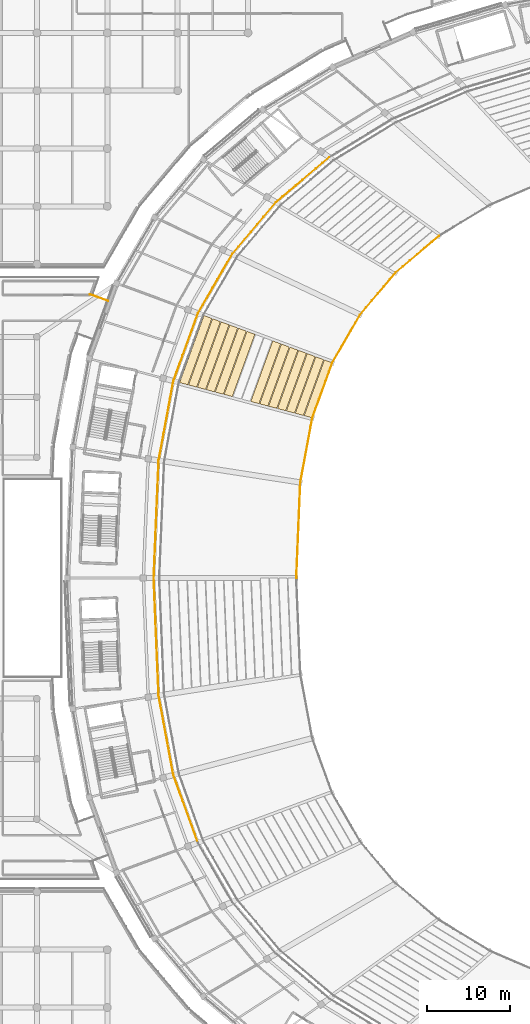
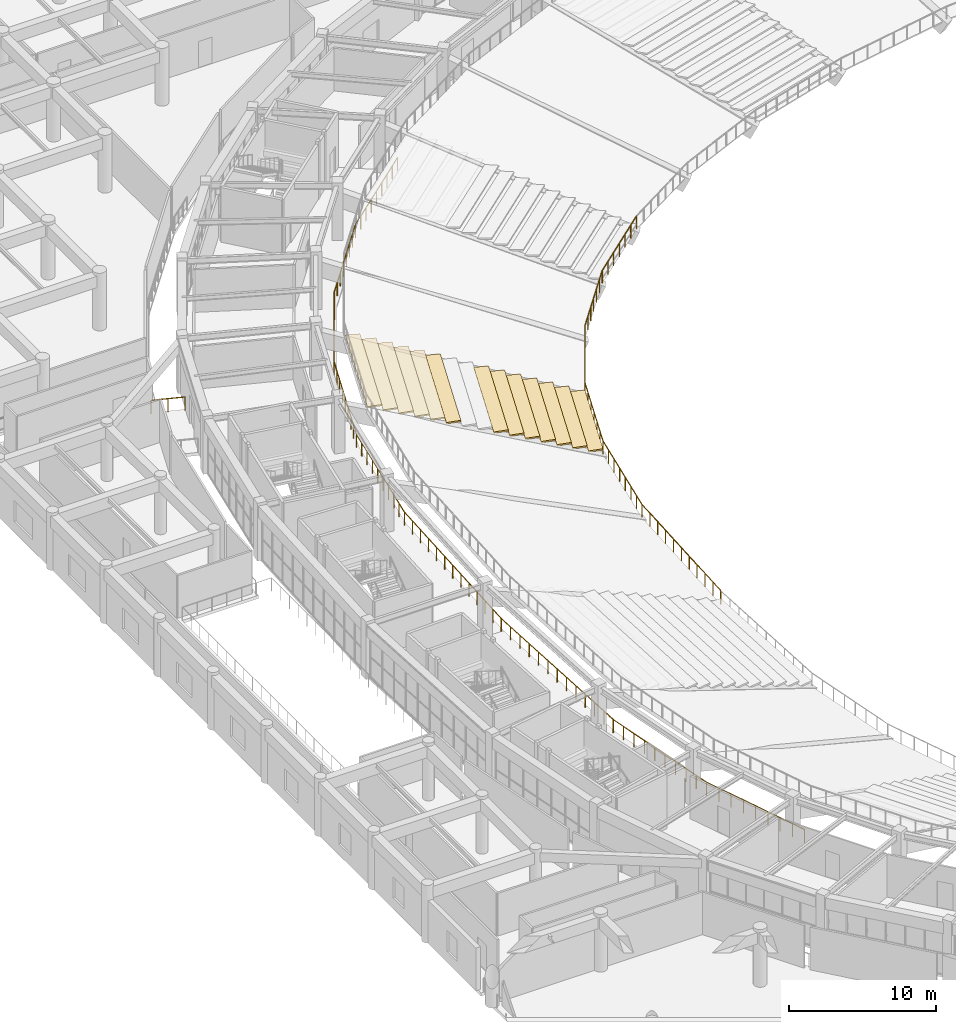
# One storey, part 122 of 137: 13 coverings, 3 railings.
"""IFC4 building model written with IfcOpenShell, lengths in metres."""

from ifc_helpers import new_model, si_unit, direction, frame, origin, origin_2d, place, context, subcontext, project, spatial, polyline, circle, outline, extrude, material, layer, layer_set, type_object, element, save


model = new_model("IFC4")

# Units and contexts
model_context = context("Model", 3, precision=1e-05, world=origin(), true_north=direction((0.0, 1.0)))
body_context = subcontext(model_context, "Body", "Model", "MODEL_VIEW")
ifc_project = project(units=[si_unit("LENGTHUNIT", "METRE"), si_unit("AREAUNIT", "SQUARE_METRE"), si_unit("VOLUMEUNIT", "CUBIC_METRE"), si_unit("PLANEANGLEUNIT", "RADIAN"), si_unit("MASSUNIT", "GRAM", prefix="KILO")], contexts=[model_context])

# Site, building, storey
site_placement = place(None, origin())
site = spatial("IfcSite", under=ifc_project, at=site_placement, CompositionType="ELEMENT")
building_placement = place(site_placement, origin())
building = spatial("IfcBuilding", under=site, at=building_placement, Name="Mphavela Belvedere Stadium", CompositionType="ELEMENT")
storey_placement = place(building_placement, frame((0.0, 0.0, 19.199951171875)))
storey = spatial("IfcBuildingStorey", under=building, at=storey_placement, Name="L04", CompositionType="ELEMENT", Elevation=19.199951171875)

# Coverings
ifc_material_1 = material(Name="Precast seating row terrazzo finish", Category="concrete")
ifc_layer = layer(ifc_material_1, 0.1201171875)
ifc_layer_set = layer_set([ifc_layer], Name="Precast seating row terrazzo finish")
covering_type = type_object("IfcCoveringType", Name="COV-SEAT-ROW-U", PredefinedType="FLOORING", material=ifc_layer_set)
covering_1_placement = place(storey_placement, frame((0.0, 0.0, -3.4033203125)))
element("IfcCovering", 1, at=covering_1_placement, inside=storey, type_object=covering_type, Name="Upper stand seating row bench B22-R01", PredefinedType="FLOORING", context=body_context, shape_type="SweptSolid", body=[
    extrude(outline(polyline([(44.27685546875, 113.0546875), (41.86083984375, 106.3955078125), (40.869873046875, 106.658447265625), (43.318603515625, 113.407958984375), (44.27685546875, 113.0546875)])), origin(), (0.0, 0.0, 1.0), 0.1201171875),
])
covering_2_placement = place(storey_placement, frame((0.0, 0.0, -2.936767578125)))
element("IfcCovering", 2, at=covering_2_placement, inside=storey, type_object=covering_type, Name="Upper stand seating row bench B22-R02", PredefinedType="FLOORING", context=body_context, shape_type="SweptSolid", body=[
    extrude(outline(polyline([(43.235107421875, 113.438720703125), (40.78369140625, 106.681396484375), (39.79248046875, 106.944091796875), (42.27685546875, 113.79150390625), (43.235107421875, 113.438720703125)])), origin(), (0.0, 0.0, 1.0), 0.1201171875),
])
covering_3_placement = place(storey_placement, frame((0.0, 0.0, -2.469970703125)))
element("IfcCovering", 3, at=covering_3_placement, inside=storey, type_object=covering_type, Name="Upper stand seating row bench B22-R03", PredefinedType="FLOORING", context=body_context, shape_type="SweptSolid", body=[
    extrude(outline(polyline([(42.193603515625, 113.822265625), (39.706298828125, 106.967041015625), (38.71533203125, 107.229736328125), (41.235107421875, 114.17529296875), (42.193603515625, 113.822265625)])), origin(), (0.0, 0.0, 1.0), 0.1201171875),
])
covering_4_placement = place(storey_placement, frame((0.0, 0.0, -2.003173828125)))
element("IfcCovering", 4, at=covering_4_placement, inside=storey, type_object=covering_type, Name="Upper stand seating row bench B22-R04", PredefinedType="FLOORING", context=body_context, shape_type="SweptSolid", body=[
    extrude(outline(polyline([(41.15185546875, 114.2060546875), (38.629150390625, 107.252685546875), (37.63818359375, 107.515380859375), (40.193603515625, 114.55908203125), (41.15185546875, 114.2060546875)])), origin(), (0.0, 0.0, 1.0), 0.119873046875),
])
covering_5_placement = place(storey_placement, frame((0.0, 0.0, -1.53662109375)))
element("IfcCovering", 5, at=covering_5_placement, inside=storey, type_object=covering_type, Name="Upper stand seating row bench B22-R05", PredefinedType="FLOORING", context=body_context, shape_type="SweptSolid", body=[
    extrude(outline(polyline([(40.110107421875, 114.58984375), (37.552001953125, 107.538330078125), (36.560791015625, 107.801025390625), (39.15185546875, 114.94287109375), (40.110107421875, 114.58984375)])), origin(), (0.0, 0.0, 1.0), 0.119873046875),
])
covering_6_placement = place(storey_placement, frame((0.0, 0.0, -1.070068359375)))
element("IfcCovering", 6, at=covering_6_placement, inside=storey, type_object=covering_type, Name="Upper stand seating row bench B22-R06", PredefinedType="FLOORING", context=body_context, shape_type="SweptSolid", body=[
    extrude(outline(polyline([(39.068603515625, 114.9736328125), (36.474609375, 107.823974609375), (35.483642578125, 108.0869140625), (38.110107421875, 115.32666015625), (39.068603515625, 114.9736328125)])), origin(), (0.0, 0.0, 1.0), 0.1201171875),
])
covering_7_placement = place(storey_placement, frame((0.0, 0.0, -0.603271484375)))
element("IfcCovering", 7, at=covering_7_placement, inside=storey, type_object=covering_type, Name="Upper stand seating row bench B22-R07", PredefinedType="FLOORING", context=body_context, shape_type="SweptSolid", body=[
    extrude(outline(polyline([(38.02685546875, 115.357421875), (35.3974609375, 108.109619140625), (34.406494140625, 108.37255859375), (37.068603515625, 115.71044921875), (38.02685546875, 115.357421875)])), origin(), (0.0, 0.0, 1.0), 0.1201171875),
])
covering_8_placement = place(storey_placement, frame((0.0, 0.0, 0.796630859375)))
element("IfcCovering", 8, at=covering_8_placement, inside=storey, type_object=covering_type, Name="Upper stand seating row bench B22-R10", PredefinedType="FLOORING", context=body_context, shape_type="SweptSolid", body=[
    extrude(outline(polyline([(34.90185546875, 116.508544921875), (32.165771484375, 108.966796875), (31.1748046875, 109.2294921875), (33.943603515625, 116.861572265625), (34.90185546875, 116.508544921875)])), origin(), (0.0, 0.0, 1.0), 0.1201171875),
])
covering_9_placement = place(storey_placement, frame((0.0, 0.0, 1.263427734375)))
element("IfcCovering", 9, at=covering_9_placement, inside=storey, type_object=covering_type, Name="Upper stand seating row bench B22-R11", PredefinedType="FLOORING", context=body_context, shape_type="SweptSolid", body=[
    extrude(outline(polyline([(33.860107421875, 116.892333984375), (31.08837890625, 109.25244140625), (30.097412109375, 109.51513671875), (32.90185546875, 117.245361328125), (33.860107421875, 116.892333984375)])), origin(), (0.0, 0.0, 1.0), 0.119873046875),
])
covering_10_placement = place(storey_placement, frame((0.0, 0.0, 1.72998046875)))
element("IfcCovering", 10, at=covering_10_placement, inside=storey, type_object=covering_type, Name="Upper stand seating row bench B22-R12", PredefinedType="FLOORING", context=body_context, shape_type="SweptSolid", body=[
    extrude(outline(polyline([(32.818603515625, 117.276123046875), (30.01123046875, 109.5380859375), (29.020263671875, 109.80078125), (31.860107421875, 117.629150390625), (32.818603515625, 117.276123046875)])), origin(), (0.0, 0.0, 1.0), 0.1201171875),
])
covering_11_placement = place(storey_placement, frame((0.0, 0.0, 2.19677734375)))
element("IfcCovering", 11, at=covering_11_placement, inside=storey, type_object=covering_type, Name="Upper stand seating row bench B22-R13", PredefinedType="FLOORING", context=body_context, shape_type="SweptSolid", body=[
    extrude(outline(polyline([(31.77685546875, 117.659912109375), (28.93408203125, 109.82373046875), (27.94287109375, 110.08642578125), (30.818603515625, 118.012939453125), (31.77685546875, 117.659912109375)])), origin(), (0.0, 0.0, 1.0), 0.119873046875),
])
covering_12_placement = place(storey_placement, frame((0.0, 0.0, 2.663330078125)))
element("IfcCovering", 12, at=covering_12_placement, inside=storey, type_object=covering_type, Name="Upper stand seating row bench B22-R14", PredefinedType="FLOORING", context=body_context, shape_type="SweptSolid", body=[
    extrude(outline(polyline([(30.735107421875, 118.043701171875), (27.856689453125, 110.109375), (26.86572265625, 110.372314453125), (29.77685546875, 118.396484375), (30.735107421875, 118.043701171875)])), origin(), (0.0, 0.0, 1.0), 0.1201171875),
])
covering_13_placement = place(storey_placement, frame((0.0, 0.0, 3.130126953125)))
element("IfcCovering", 13, at=covering_13_placement, inside=storey, type_object=covering_type, Name="Upper stand seating row bench B22-R15", PredefinedType="FLOORING", context=body_context, shape_type="SweptSolid", body=[
    extrude(outline(polyline([(29.693603515625, 118.42724609375), (26.779541015625, 110.39501953125), (25.78857421875, 110.657958984375), (28.735107421875, 118.780517578125), (29.693603515625, 118.42724609375)])), origin(), (0.0, 0.0, 1.0), 0.119873046875),
])

# Railings
ifc_material_2 = material(Name="Bronze and laminated glass stadium balustrade", Category="glass")
railing_type = type_object("IfcRailingType", Name="RAL-BALUSTRADE-1120", PredefinedType="BALUSTRADE", material=ifc_material_2)
railing_1_placement = place(storey_placement, frame((17.154296875, 120.540771484375, 0.0)))
element("IfcRailing", 14, at=railing_1_placement, inside=storey, type_object=railing_type, Name="Colonnade link bridge balustrade L04-22A", PredefinedType="BALUSTRADE", context=body_context, shape_type="SweptSolid", body=[
    extrude(circle(Radius=0.02392578125, at=origin_2d()), frame((0.0, 0.0, 1.09619140625), z_axis=(-0.940044916205, 0.341050664151, 0.0), x_axis=(-0.341050664151, -0.940044916205, 0.0)), (0.0, 0.0, 1.0), 2.35009765625),
    extrude(circle(Radius=0.02099609375, at=origin_2d()), origin(), (0.0, 0.0, 1.0), 1.072021484375),
    extrude(circle(Radius=0.02099609375, at=origin_2d()), frame((-1.1044921875, 0.40087890625, 0.0)), (0.0, 0.0, 1.0), 1.072021484375),
    extrude(circle(Radius=0.02099609375, at=origin_2d()), frame((-2.209228515625, 0.801513671875, 0.0)), (0.0, 0.0, 1.0), 1.072021484375),
])
railing_2_placement = place(storey_placement, frame((57.201416015625, 128.412353515625, -3.75)))
element("IfcRailing", 15, at=railing_2_placement, inside=storey, type_object=railing_type, Name="Bowl safety balustrade t2_front S4", PredefinedType="BALUSTRADE", context=body_context, shape_type="SweptSolid", body=[
    extrude(circle(Radius=0.02392578125, at=origin_2d()), frame((0.0, 0.0, 1.09619140625), z_axis=(-0.764246549785, -0.644924190229, 0.0), x_axis=(0.644924190229, -0.764246549785, 0.0)), (0.0, 0.0, 1.0), 6.862548828125),
    extrude(circle(Radius=0.02392578125, at=origin_2d()), frame((-5.24462890625, -4.42578125, 1.09619140625), z_axis=(-0.645180343886, -0.764030316063, 0.0), x_axis=(0.764030316063, -0.645180343886, 0.0)), (0.0, 0.0, 1.0), 6.682373046875),
    extrude(circle(Radius=0.02392578125, at=origin_2d()), frame((-9.555908203125, -9.53125, 1.09619140625), z_axis=(-0.500531411911, -0.865718375507, 0.0), x_axis=(0.865718375507, -0.500531411911, 0.0)), (0.0, 0.0, 1.0), 6.730224609375),
    extrude(circle(Radius=0.02392578125, at=origin_2d()), frame((-12.924560546875, -15.357666015625, 1.09619140625), z_axis=(-0.341056708776, -0.940042723178, 0.0), x_axis=(0.940042723178, -0.341056708776, 0.0)), (0.0, 0.0, 1.0), 7.083984375),
    extrude(circle(Radius=0.02392578125, at=origin_2d()), frame((-15.340576171875, -22.016845703125, 1.09619140625), z_axis=(-0.18262523239, -0.983182599772, 0.0), x_axis=(0.983182599772, -0.18262523239, 0.0)), (0.0, 0.0, 1.0), 7.95947265625),
    extrude(circle(Radius=0.02392578125, at=origin_2d()), frame((-16.794189453125, -29.842529296875, 1.09619140625), z_axis=(-0.04189186986, -0.99912215031, 0.0), x_axis=(0.99912215031, -0.04189186986, 0.0)), (0.0, 0.0, 1.0), 11.580078125),
    extrude(circle(Radius=0.02099609375, at=origin_2d()), origin(), (0.0, 0.0, 1.0), 1.072021484375),
    extrude(circle(Radius=0.02099609375, at=origin_2d()), frame((-0.8740234375, -0.737548828125, 0.0)), (0.0, 0.0, 1.0), 1.072021484375),
    extrude(circle(Radius=0.02099609375, at=origin_2d()), frame((-1.748291015625, -1.475341796875, 0.0)), (0.0, 0.0, 1.0), 1.072021484375),
    extrude(circle(Radius=0.02099609375, at=origin_2d()), frame((-2.622314453125, -2.212890625, 0.0)), (0.0, 0.0, 1.0), 1.072021484375),
    extrude(circle(Radius=0.02099609375, at=origin_2d()), frame((-3.496337890625, -2.950439453125, 0.0)), (0.0, 0.0, 1.0), 1.072021484375),
    extrude(circle(Radius=0.02099609375, at=origin_2d()), frame((-4.37060546875, -3.688232421875, 0.0)), (0.0, 0.0, 1.0), 1.072021484375),
    extrude(circle(Radius=0.02099609375, at=origin_2d()), frame((-5.24462890625, -4.42578125, 0.0)), (0.0, 0.0, 1.0), 1.072021484375),
    extrude(circle(Radius=0.02099609375, at=origin_2d()), frame((-5.963134765625, -5.276611328125, 0.0)), (0.0, 0.0, 1.0), 1.072021484375),
    extrude(circle(Radius=0.02099609375, at=origin_2d()), frame((-6.681640625, -6.127685546875, 0.0)), (0.0, 0.0, 1.0), 1.072021484375),
    extrude(circle(Radius=0.02099609375, at=origin_2d()), frame((-7.400390625, -6.978515625, 0.0)), (0.0, 0.0, 1.0), 1.072021484375),
    extrude(circle(Radius=0.02099609375, at=origin_2d()), frame((-8.118896484375, -7.829345703125, 0.0)), (0.0, 0.0, 1.0), 1.072021484375),
    extrude(circle(Radius=0.02099609375, at=origin_2d()), frame((-8.83740234375, -8.680419921875, 0.0)), (0.0, 0.0, 1.0), 1.072021484375),
    extrude(circle(Radius=0.02099609375, at=origin_2d()), frame((-9.555908203125, -9.53125, 0.0)), (0.0, 0.0, 1.0), 1.072021484375),
    extrude(circle(Radius=0.02099609375, at=origin_2d()), frame((-10.117431640625, -10.50244140625, 0.0)), (0.0, 0.0, 1.0), 1.072021484375),
    extrude(circle(Radius=0.02099609375, at=origin_2d()), frame((-10.6787109375, -11.473388671875, 0.0)), (0.0, 0.0, 1.0), 1.072021484375),
    extrude(circle(Radius=0.02099609375, at=origin_2d()), frame((-11.240234375, -12.4443359375, 0.0)), (0.0, 0.0, 1.0), 1.072021484375),
    extrude(circle(Radius=0.02099609375, at=origin_2d()), frame((-11.8017578125, -13.41552734375, 0.0)), (0.0, 0.0, 1.0), 1.072021484375),
    extrude(circle(Radius=0.02099609375, at=origin_2d()), frame((-12.363037109375, -14.38671875, 0.0)), (0.0, 0.0, 1.0), 1.072021484375),
    extrude(circle(Radius=0.02099609375, at=origin_2d()), frame((-12.924560546875, -15.357666015625, 0.0)), (0.0, 0.0, 1.0), 1.072021484375),
    extrude(circle(Radius=0.02099609375, at=origin_2d()), frame((-13.3271484375, -16.467529296875, 0.0)), (0.0, 0.0, 1.0), 1.072021484375),
    extrude(circle(Radius=0.02099609375, at=origin_2d()), frame((-13.72998046875, -17.577392578125, 0.0)), (0.0, 0.0, 1.0), 1.072021484375),
    extrude(circle(Radius=0.02099609375, at=origin_2d()), frame((-14.132568359375, -18.687255859375, 0.0)), (0.0, 0.0, 1.0), 1.072021484375),
    extrude(circle(Radius=0.02099609375, at=origin_2d()), frame((-14.53515625, -19.797119140625, 0.0)), (0.0, 0.0, 1.0), 1.072021484375),
    extrude(circle(Radius=0.02099609375, at=origin_2d()), frame((-14.93798828125, -20.906982421875, 0.0)), (0.0, 0.0, 1.0), 1.072021484375),
    extrude(circle(Radius=0.02099609375, at=origin_2d()), frame((-15.340576171875, -22.016845703125, 0.0)), (0.0, 0.0, 1.0), 1.072021484375),
    extrude(circle(Radius=0.02099609375, at=origin_2d()), frame((-15.54833984375, -23.134765625, 0.0)), (0.0, 0.0, 1.0), 1.072021484375),
    extrude(circle(Radius=0.02099609375, at=origin_2d()), frame((-15.755859375, -24.252685546875, 0.0)), (0.0, 0.0, 1.0), 1.072021484375),
    extrude(circle(Radius=0.02099609375, at=origin_2d()), frame((-15.963623046875, -25.37060546875, 0.0)), (0.0, 0.0, 1.0), 1.072021484375),
    extrude(circle(Radius=0.02099609375, at=origin_2d()), frame((-16.171142578125, -26.48876953125, 0.0)), (0.0, 0.0, 1.0), 1.072021484375),
    extrude(circle(Radius=0.02099609375, at=origin_2d()), frame((-16.37890625, -27.606689453125, 0.0)), (0.0, 0.0, 1.0), 1.072021484375),
    extrude(circle(Radius=0.02099609375, at=origin_2d()), frame((-16.58642578125, -28.724609375, 0.0)), (0.0, 0.0, 1.0), 1.072021484375),
    extrude(circle(Radius=0.02099609375, at=origin_2d()), frame((-16.794189453125, -29.842529296875, 0.0)), (0.0, 0.0, 1.0), 1.072021484375),
    extrude(circle(Radius=0.02099609375, at=origin_2d()), frame((-16.8427734375, -30.99951171875, 0.0)), (0.0, 0.0, 1.0), 1.072021484375),
    extrude(circle(Radius=0.02099609375, at=origin_2d()), frame((-16.89111328125, -32.156494140625, 0.0)), (0.0, 0.0, 1.0), 1.072021484375),
    extrude(circle(Radius=0.02099609375, at=origin_2d()), frame((-16.939697265625, -33.3134765625, 0.0)), (0.0, 0.0, 1.0), 1.072021484375),
    extrude(circle(Radius=0.02099609375, at=origin_2d()), frame((-16.98828125, -34.470458984375, 0.0)), (0.0, 0.0, 1.0), 1.072021484375),
    extrude(circle(Radius=0.02099609375, at=origin_2d()), frame((-17.03662109375, -35.62744140625, 0.0)), (0.0, 0.0, 1.0), 1.072021484375),
    extrude(circle(Radius=0.02099609375, at=origin_2d()), frame((-17.085205078125, -36.784423828125, 0.0)), (0.0, 0.0, 1.0), 1.072021484375),
    extrude(circle(Radius=0.02099609375, at=origin_2d()), frame((-17.1337890625, -37.94140625, 0.0)), (0.0, 0.0, 1.0), 1.072021484375),
    extrude(circle(Radius=0.02099609375, at=origin_2d()), frame((-17.182373046875, -39.098388671875, 0.0)), (0.0, 0.0, 1.0), 1.072021484375),
    extrude(circle(Radius=0.02099609375, at=origin_2d()), frame((-17.230712890625, -40.25537109375, 0.0)), (0.0, 0.0, 1.0), 1.072021484375),
    extrude(circle(Radius=0.02099609375, at=origin_2d()), frame((-17.279296875, -41.412353515625, 0.0)), (0.0, 0.0, 1.0), 1.072021484375),
])
railing_3_placement = place(storey_placement, frame((43.909423828125, 137.93603515625, 0.0)))
element("IfcRailing", 16, at=railing_3_placement, inside=storey, type_object=railing_type, Name="Upper bowl concourse balustrade L04-G3", PredefinedType="BALUSTRADE", context=body_context, shape_type="SweptSolid", body=[
    extrude(circle(Radius=0.02392578125, at=origin_2d()), frame((0.0, 0.0, 1.09619140625), z_axis=(-0.764268762632, -0.644897866693, 0.0), x_axis=(0.644897866693, -0.764268762632, 0.0)), (0.0, 0.0, 1.0), 8.440673828125),
    extrude(circle(Radius=0.02392578125, at=origin_2d()), frame((-6.450927734375, -5.443359375, 1.09619140625), z_axis=(-0.645166946233, -0.764041629421, 0.0), x_axis=(0.764041629421, -0.645166946233, 0.0)), (0.0, 0.0, 1.0), 8.21923828125),
    extrude(circle(Radius=0.02392578125, at=origin_2d()), frame((-11.753662109375, -11.72314453125, 1.09619140625), z_axis=(-0.50055372044, -0.865705477026, 0.0), x_axis=(0.865705477026, -0.50055372044, 0.0)), (0.0, 0.0, 1.0), 8.27783203125),
    extrude(circle(Radius=0.02392578125, at=origin_2d()), frame((-15.897216796875, -18.889404296875, 1.09619140625), z_axis=(-0.341043262174, -0.940047601628, 0.0), x_axis=(0.940047601628, -0.341043262174, 0.0)), (0.0, 0.0, 1.0), 8.712890625),
    extrude(circle(Radius=0.02392578125, at=origin_2d()), frame((-18.86865234375, -27.079833984375, 1.09619140625), z_axis=(-0.182616988572, -0.983184131018, 0.0), x_axis=(0.983184131018, -0.182616988572, 0.0)), (0.0, 0.0, 1.0), 9.7900390625),
    extrude(circle(Radius=0.02392578125, at=origin_2d()), frame((-20.656494140625, -36.705322265625, 1.09619140625), z_axis=(-0.04190931169, -0.999121418844, 0.0), x_axis=(0.999121418844, -0.04190931169, 0.0)), (0.0, 0.0, 1.0), 14.2431640625),
    extrude(circle(Radius=0.02392578125, at=origin_2d()), frame((-21.25341796875, -50.93603515625, 1.09619140625), z_axis=(0.04190931169, -0.999121418844, 0.0), x_axis=(0.999121418844, 0.04190931169, 0.0)), (0.0, 0.0, 1.0), 14.2431640625),
    extrude(circle(Radius=0.02392578125, at=origin_2d()), frame((-20.656494140625, -65.166748046875, 1.09619140625), z_axis=(0.182616988572, -0.983184131018, 0.0), x_axis=(0.983184131018, 0.182616988572, 0.0)), (0.0, 0.0, 1.0), 9.7900390625),
    extrude(circle(Radius=0.02392578125, at=origin_2d()), frame((-18.86865234375, -74.792236328125, 1.09619140625), z_axis=(0.341043262174, -0.940047601628, 0.0), x_axis=(0.940047601628, 0.341043262174, 0.0)), (0.0, 0.0, 1.0), 8.712890625),
    extrude(circle(Radius=0.02099609375, at=origin_2d()), origin(), (0.0, 0.0, 1.0), 1.072021484375),
    extrude(circle(Radius=0.02099609375, at=origin_2d()), frame((-0.806396484375, -0.680419921875, 0.0)), (0.0, 0.0, 1.0), 1.072021484375),
    extrude(circle(Radius=0.02099609375, at=origin_2d()), frame((-1.61279296875, -1.36083984375, 0.0)), (0.0, 0.0, 1.0), 1.072021484375),
    extrude(circle(Radius=0.02099609375, at=origin_2d()), frame((-2.419189453125, -2.041259765625, 0.0)), (0.0, 0.0, 1.0), 1.072021484375),
    extrude(circle(Radius=0.02099609375, at=origin_2d()), frame((-3.2255859375, -2.7216796875, 0.0)), (0.0, 0.0, 1.0), 1.072021484375),
    extrude(circle(Radius=0.02099609375, at=origin_2d()), frame((-4.03173828125, -3.402099609375, 0.0)), (0.0, 0.0, 1.0), 1.072021484375),
    extrude(circle(Radius=0.02099609375, at=origin_2d()), frame((-4.838134765625, -4.08251953125, 0.0)), (0.0, 0.0, 1.0), 1.072021484375),
    extrude(circle(Radius=0.02099609375, at=origin_2d()), frame((-5.64453125, -4.762939453125, 0.0)), (0.0, 0.0, 1.0), 1.072021484375),
    extrude(circle(Radius=0.02099609375, at=origin_2d()), frame((-6.450927734375, -5.443359375, 0.0)), (0.0, 0.0, 1.0), 1.072021484375),
    extrude(circle(Radius=0.02099609375, at=origin_2d()), frame((-7.20849609375, -6.340576171875, 0.0)), (0.0, 0.0, 1.0), 1.072021484375),
    extrude(circle(Radius=0.02099609375, at=origin_2d()), frame((-7.966064453125, -7.237548828125, 0.0)), (0.0, 0.0, 1.0), 1.072021484375),
    extrude(circle(Radius=0.02099609375, at=origin_2d()), frame((-8.7236328125, -8.134765625, 0.0)), (0.0, 0.0, 1.0), 1.072021484375),
    extrude(circle(Radius=0.02099609375, at=origin_2d()), frame((-9.48095703125, -9.03173828125, 0.0)), (0.0, 0.0, 1.0), 1.072021484375),
    extrude(circle(Radius=0.02099609375, at=origin_2d()), frame((-10.238525390625, -9.928955078125, 0.0)), (0.0, 0.0, 1.0), 1.072021484375),
    extrude(circle(Radius=0.02099609375, at=origin_2d()), frame((-10.99609375, -10.825927734375, 0.0)), (0.0, 0.0, 1.0), 1.072021484375),
    extrude(circle(Radius=0.02099609375, at=origin_2d()), frame((-11.753662109375, -11.72314453125, 0.0)), (0.0, 0.0, 1.0), 1.072021484375),
    extrude(circle(Radius=0.02099609375, at=origin_2d()), frame((-12.345703125, -12.746826171875, 0.0)), (0.0, 0.0, 1.0), 1.072021484375),
    extrude(circle(Radius=0.02099609375, at=origin_2d()), frame((-12.9375, -13.770751953125, 0.0)), (0.0, 0.0, 1.0), 1.072021484375),
    extrude(circle(Radius=0.02099609375, at=origin_2d()), frame((-13.529541015625, -14.79443359375, 0.0)), (0.0, 0.0, 1.0), 1.072021484375),
    extrude(circle(Radius=0.02099609375, at=origin_2d()), frame((-14.121337890625, -15.818115234375, 0.0)), (0.0, 0.0, 1.0), 1.072021484375),
    extrude(circle(Radius=0.02099609375, at=origin_2d()), frame((-14.71337890625, -16.841796875, 0.0)), (0.0, 0.0, 1.0), 1.072021484375),
    extrude(circle(Radius=0.02099609375, at=origin_2d()), frame((-15.30517578125, -17.86572265625, 0.0)), (0.0, 0.0, 1.0), 1.072021484375),
    extrude(circle(Radius=0.02099609375, at=origin_2d()), frame((-15.897216796875, -18.889404296875, 0.0)), (0.0, 0.0, 1.0), 1.072021484375),
    extrude(circle(Radius=0.02099609375, at=origin_2d()), frame((-16.2685546875, -19.9130859375, 0.0)), (0.0, 0.0, 1.0), 1.072021484375),
    extrude(circle(Radius=0.02099609375, at=origin_2d()), frame((-16.64013671875, -20.93701171875, 0.0)), (0.0, 0.0, 1.0), 1.072021484375),
    extrude(circle(Radius=0.02099609375, at=origin_2d()), frame((-17.011474609375, -21.9609375, 0.0)), (0.0, 0.0, 1.0), 1.072021484375),
    extrude(circle(Radius=0.02099609375, at=origin_2d()), frame((-17.3828125, -22.984619140625, 0.0)), (0.0, 0.0, 1.0), 1.072021484375),
    extrude(circle(Radius=0.02099609375, at=origin_2d()), frame((-17.75439453125, -24.00830078125, 0.0)), (0.0, 0.0, 1.0), 1.072021484375),
    extrude(circle(Radius=0.02099609375, at=origin_2d()), frame((-18.125732421875, -25.0322265625, 0.0)), (0.0, 0.0, 1.0), 1.072021484375),
    extrude(circle(Radius=0.02099609375, at=origin_2d()), frame((-18.497314453125, -26.05615234375, 0.0)), (0.0, 0.0, 1.0), 1.072021484375),
    extrude(circle(Radius=0.02099609375, at=origin_2d()), frame((-18.86865234375, -27.079833984375, 0.0)), (0.0, 0.0, 1.0), 1.072021484375),
    extrude(circle(Radius=0.02099609375, at=origin_2d()), frame((-19.0673828125, -28.1494140625, 0.0)), (0.0, 0.0, 1.0), 1.072021484375),
    extrude(circle(Radius=0.02099609375, at=origin_2d()), frame((-19.265869140625, -29.21875, 0.0)), (0.0, 0.0, 1.0), 1.072021484375),
    extrude(circle(Radius=0.02099609375, at=origin_2d()), frame((-19.464599609375, -30.288330078125, 0.0)), (0.0, 0.0, 1.0), 1.072021484375),
    extrude(circle(Radius=0.02099609375, at=origin_2d()), frame((-19.663330078125, -31.35791015625, 0.0)), (0.0, 0.0, 1.0), 1.072021484375),
    extrude(circle(Radius=0.02099609375, at=origin_2d()), frame((-19.86181640625, -32.42724609375, 0.0)), (0.0, 0.0, 1.0), 1.072021484375),
    extrude(circle(Radius=0.02099609375, at=origin_2d()), frame((-20.060546875, -33.496826171875, 0.0)), (0.0, 0.0, 1.0), 1.072021484375),
    extrude(circle(Radius=0.02099609375, at=origin_2d()), frame((-20.25927734375, -34.56640625, 0.0)), (0.0, 0.0, 1.0), 1.072021484375),
    extrude(circle(Radius=0.02099609375, at=origin_2d()), frame((-20.457763671875, -35.6357421875, 0.0)), (0.0, 0.0, 1.0), 1.072021484375),
    extrude(circle(Radius=0.02099609375, at=origin_2d()), frame((-20.656494140625, -36.705322265625, 0.0)), (0.0, 0.0, 1.0), 1.072021484375),
    extrude(circle(Radius=0.02099609375, at=origin_2d()), frame((-20.706298828125, -37.89111328125, 0.0)), (0.0, 0.0, 1.0), 1.072021484375),
    extrude(circle(Radius=0.02099609375, at=origin_2d()), frame((-20.755859375, -39.0771484375, 0.0)), (0.0, 0.0, 1.0), 1.072021484375),
    extrude(circle(Radius=0.02099609375, at=origin_2d()), frame((-20.8056640625, -40.262939453125, 0.0)), (0.0, 0.0, 1.0), 1.072021484375),
    extrude(circle(Radius=0.02099609375, at=origin_2d()), frame((-20.85546875, -41.448974609375, 0.0)), (0.0, 0.0, 1.0), 1.072021484375),
    extrude(circle(Radius=0.02099609375, at=origin_2d()), frame((-20.9052734375, -42.634765625, 0.0)), (0.0, 0.0, 1.0), 1.072021484375),
    extrude(circle(Radius=0.02099609375, at=origin_2d()), frame((-20.955078125, -43.82080078125, 0.0)), (0.0, 0.0, 1.0), 1.072021484375),
    extrude(circle(Radius=0.02099609375, at=origin_2d()), frame((-21.004638671875, -45.006591796875, 0.0)), (0.0, 0.0, 1.0), 1.072021484375),
    extrude(circle(Radius=0.02099609375, at=origin_2d()), frame((-21.054443359375, -46.1923828125, 0.0)), (0.0, 0.0, 1.0), 1.072021484375),
    extrude(circle(Radius=0.02099609375, at=origin_2d()), frame((-21.104248046875, -47.37841796875, 0.0)), (0.0, 0.0, 1.0), 1.072021484375),
    extrude(circle(Radius=0.02099609375, at=origin_2d()), frame((-21.15380859375, -48.564208984375, 0.0)), (0.0, 0.0, 1.0), 1.072021484375),
    extrude(circle(Radius=0.02099609375, at=origin_2d()), frame((-21.20361328125, -49.750244140625, 0.0)), (0.0, 0.0, 1.0), 1.072021484375),
    extrude(circle(Radius=0.02099609375, at=origin_2d()), frame((-21.25341796875, -50.93603515625, 0.0)), (0.0, 0.0, 1.0), 1.072021484375),
    extrude(circle(Radius=0.02099609375, at=origin_2d()), frame((-21.20361328125, -52.121826171875, 0.0)), (0.0, 0.0, 1.0), 1.072021484375),
    extrude(circle(Radius=0.02099609375, at=origin_2d()), frame((-21.15380859375, -53.307861328125, 0.0)), (0.0, 0.0, 1.0), 1.072021484375),
    extrude(circle(Radius=0.02099609375, at=origin_2d()), frame((-21.104248046875, -54.49365234375, 0.0)), (0.0, 0.0, 1.0), 1.072021484375),
    extrude(circle(Radius=0.02099609375, at=origin_2d()), frame((-21.054443359375, -55.6796875, 0.0)), (0.0, 0.0, 1.0), 1.072021484375),
    extrude(circle(Radius=0.02099609375, at=origin_2d()), frame((-21.004638671875, -56.865478515625, 0.0)), (0.0, 0.0, 1.0), 1.072021484375),
    extrude(circle(Radius=0.02099609375, at=origin_2d()), frame((-20.955078125, -58.05126953125, 0.0)), (0.0, 0.0, 1.0), 1.072021484375),
    extrude(circle(Radius=0.02099609375, at=origin_2d()), frame((-20.9052734375, -59.2373046875, 0.0)), (0.0, 0.0, 1.0), 1.072021484375),
    extrude(circle(Radius=0.02099609375, at=origin_2d()), frame((-20.85546875, -60.423095703125, 0.0)), (0.0, 0.0, 1.0), 1.072021484375),
    extrude(circle(Radius=0.02099609375, at=origin_2d()), frame((-20.8056640625, -61.609130859375, 0.0)), (0.0, 0.0, 1.0), 1.072021484375),
    extrude(circle(Radius=0.02099609375, at=origin_2d()), frame((-20.755859375, -62.794921875, 0.0)), (0.0, 0.0, 1.0), 1.072021484375),
    extrude(circle(Radius=0.02099609375, at=origin_2d()), frame((-20.706298828125, -63.98095703125, 0.0)), (0.0, 0.0, 1.0), 1.072021484375),
    extrude(circle(Radius=0.02099609375, at=origin_2d()), frame((-20.656494140625, -65.166748046875, 0.0)), (0.0, 0.0, 1.0), 1.072021484375),
    extrude(circle(Radius=0.02099609375, at=origin_2d()), frame((-20.457763671875, -66.236328125, 0.0)), (0.0, 0.0, 1.0), 1.072021484375),
    extrude(circle(Radius=0.02099609375, at=origin_2d()), frame((-20.25927734375, -67.3056640625, 0.0)), (0.0, 0.0, 1.0), 1.072021484375),
    extrude(circle(Radius=0.02099609375, at=origin_2d()), frame((-20.060546875, -68.375244140625, 0.0)), (0.0, 0.0, 1.0), 1.072021484375),
    extrude(circle(Radius=0.02099609375, at=origin_2d()), frame((-19.86181640625, -69.44482421875, 0.0)), (0.0, 0.0, 1.0), 1.072021484375),
    extrude(circle(Radius=0.02099609375, at=origin_2d()), frame((-19.663330078125, -70.51416015625, 0.0)), (0.0, 0.0, 1.0), 1.072021484375),
    extrude(circle(Radius=0.02099609375, at=origin_2d()), frame((-19.464599609375, -71.583740234375, 0.0)), (0.0, 0.0, 1.0), 1.072021484375),
    extrude(circle(Radius=0.02099609375, at=origin_2d()), frame((-19.265869140625, -72.6533203125, 0.0)), (0.0, 0.0, 1.0), 1.072021484375),
    extrude(circle(Radius=0.02099609375, at=origin_2d()), frame((-19.0673828125, -73.72265625, 0.0)), (0.0, 0.0, 1.0), 1.072021484375),
    extrude(circle(Radius=0.02099609375, at=origin_2d()), frame((-18.86865234375, -74.792236328125, 0.0)), (0.0, 0.0, 1.0), 1.072021484375),
    extrude(circle(Radius=0.02099609375, at=origin_2d()), frame((-18.497314453125, -75.81591796875, 0.0)), (0.0, 0.0, 1.0), 1.072021484375),
    extrude(circle(Radius=0.02099609375, at=origin_2d()), frame((-18.125732421875, -76.83984375, 0.0)), (0.0, 0.0, 1.0), 1.072021484375),
    extrude(circle(Radius=0.02099609375, at=origin_2d()), frame((-17.75439453125, -77.86376953125, 0.0)), (0.0, 0.0, 1.0), 1.072021484375),
    extrude(circle(Radius=0.02099609375, at=origin_2d()), frame((-17.3828125, -78.887451171875, 0.0)), (0.0, 0.0, 1.0), 1.072021484375),
    extrude(circle(Radius=0.02099609375, at=origin_2d()), frame((-17.011474609375, -79.9111328125, 0.0)), (0.0, 0.0, 1.0), 1.072021484375),
    extrude(circle(Radius=0.02099609375, at=origin_2d()), frame((-16.64013671875, -80.93505859375, 0.0)), (0.0, 0.0, 1.0), 1.072021484375),
    extrude(circle(Radius=0.02099609375, at=origin_2d()), frame((-16.2685546875, -81.958984375, 0.0)), (0.0, 0.0, 1.0), 1.072021484375),
    extrude(circle(Radius=0.02099609375, at=origin_2d()), frame((-15.897216796875, -82.982666015625, 0.0)), (0.0, 0.0, 1.0), 1.072021484375),
])

save(model, "model.ifc")
